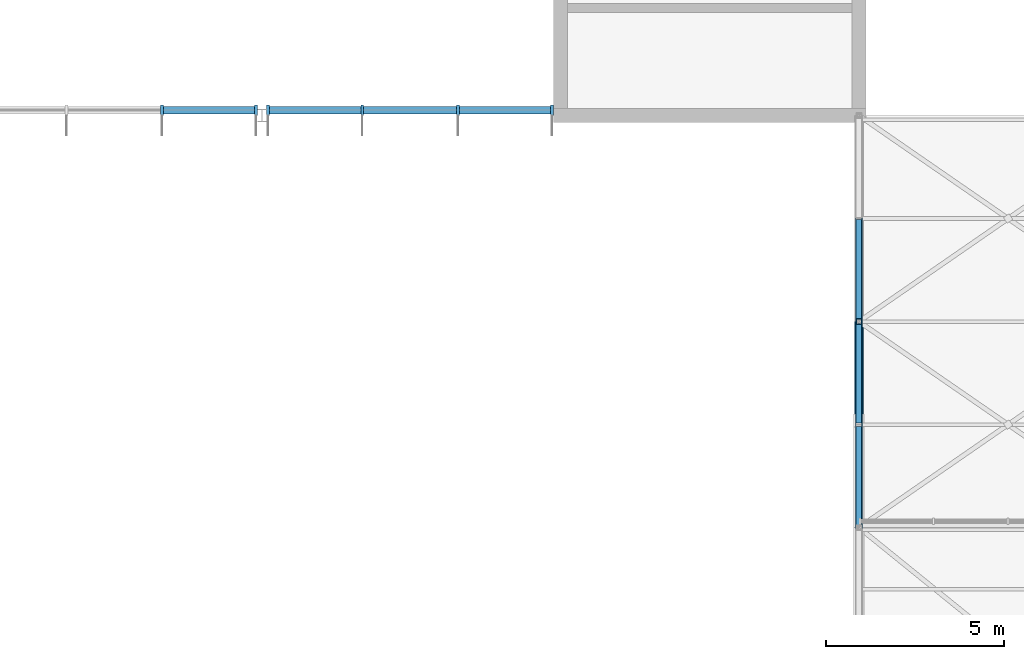
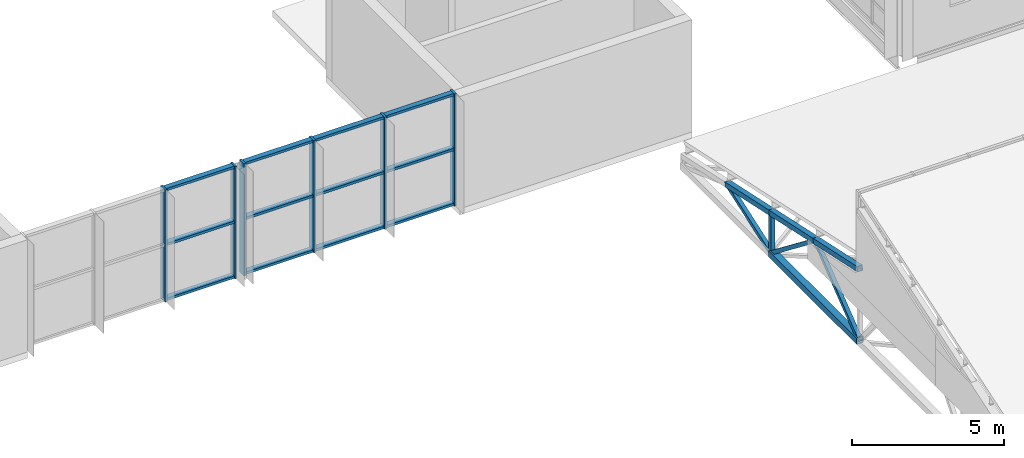
# One storey, part 19 of 89: 22 members, 4 beams, 2 elements without a shape of their own.
"""IFC4 building model written with IfcOpenShell, lengths in metres."""

from ifc_helpers import new_model, si_unit, direction, frame, origin, origin_2d, place, context, subcontext, project, spatial, rectangle, hollow_rectangle, extrude, material, material_profile, profile_set, type_object, element, aggregate, save


model = new_model("IFC4")

# Units and contexts
model_context = context("Model", 3, precision=1e-05, world=origin(), true_north=direction((0.0, 1.0)))
body_context = subcontext(model_context, "Body", "Model", "MODEL_VIEW")
ifc_project = project(units=[si_unit("LENGTHUNIT", "METRE"), si_unit("AREAUNIT", "SQUARE_METRE"), si_unit("VOLUMEUNIT", "CUBIC_METRE"), si_unit("PLANEANGLEUNIT", "RADIAN"), si_unit("MASSUNIT", "GRAM", prefix="KILO")], contexts=[model_context])

# Site, building, storey
site_placement = place(None, origin())
site = spatial("IfcSite", under=ifc_project, at=site_placement, CompositionType="ELEMENT")
building_placement = place(site_placement, origin())
building = spatial("IfcBuilding", under=site, at=building_placement, Name="Hlaing Beacon Police Headquarters", CompositionType="ELEMENT")
storey_placement = place(building_placement, frame((0.0, 0.0, 9.89990234375)))
storey = spatial("IfcBuildingStorey", under=building, at=storey_placement, Name="L02", CompositionType="ELEMENT", Elevation=9.89990234375)

# Curtain wall, members
ifc_material_1 = material(Name="Aluminium frame with solar control glazing", Category="aluminium")
curtain_wall_type = type_object("IfcCurtainWallType", Name="Structural glazed gable wall 8.07 x 4.50", PredefinedType="NOTDEFINED", material=ifc_material_1)
curtain_wall_1_placement = place(storey_placement, origin())
curtain_wall_1 = element("IfcCurtainWall", 1, at=curtain_wall_1_placement, inside=storey, type_object=curtain_wall_type, Name="ENV-CW-L02-S005", PredefinedType="NOTDEFINED")
ifc_material_2 = material(Name="Aluminium", Category="aluminium")
ifc_material_profile_1 = material_profile(ifc_material_2, rectangle(XDim=0.300048828125, YDim=0.080078125, at=origin_2d()), Name="Mullion 80x300")
ifc_profile_set_1 = profile_set([ifc_material_profile_1], Name="Aluminium")
member_type_1 = type_object("IfcMemberType", Name="Mullion 80x300", PredefinedType="MULLION", material=ifc_profile_set_1)
member_1_placement = place(storey_placement, frame((72.78125, 33.75, 0.0), z_axis=(0.0, 0.0, 1.0), x_axis=(0.0, 1.0, 0.0)))
member_1 = element("IfcMember", 2, at=member_1_placement, type_object=member_type_1, Name="CW-L02-S005 mullion 3", PredefinedType="MULLION", context=body_context, shape_type="SweptSolid", body=[
    extrude(rectangle(XDim=0.300048828125, YDim=0.080078125, at=origin_2d()), origin(), (0.0, 0.0, 1.0), 4.5),
])
member_2_placement = place(storey_placement, frame((75.431640625, 33.75, 0.0), z_axis=(0.0, 0.0, 1.0), x_axis=(0.0, 1.0, 0.0)))
member_2 = element("IfcMember", 3, at=member_2_placement, type_object=member_type_1, Name="CW-L02-S005 mullion 4", PredefinedType="MULLION", context=body_context, shape_type="SweptSolid", body=[
    extrude(rectangle(XDim=0.300048828125, YDim=0.080078125, at=origin_2d()), origin(), (0.0, 0.0, 1.0), 4.5),
])

curtain_wall_2_placement = place(storey_placement, origin())
curtain_wall_2 = element("IfcCurtainWall", 4, at=curtain_wall_2_placement, inside=storey, type_object=curtain_wall_type, Name="ENV-CW-L02-S006", PredefinedType="NOTDEFINED")
member_3_placement = place(storey_placement, frame((75.768310546875, 33.75, 0.0), z_axis=(0.0, 0.0, 1.0), x_axis=(0.0, 1.0, 0.0)))
member_3 = element("IfcMember", 5, at=member_3_placement, type_object=member_type_1, Name="CW-L02-S006 mullion 1", PredefinedType="MULLION", context=body_context, shape_type="SweptSolid", body=[
    extrude(rectangle(XDim=0.300048828125, YDim=0.080078125, at=origin_2d()), origin(), (0.0, 0.0, 1.0), 4.5),
])
member_4_placement = place(storey_placement, frame((78.4189453125, 33.75, 0.0), z_axis=(0.0, 0.0, 1.0), x_axis=(0.0, 1.0, 0.0)))
member_4 = element("IfcMember", 6, at=member_4_placement, type_object=member_type_1, Name="CW-L02-S006 mullion 2", PredefinedType="MULLION", context=body_context, shape_type="SweptSolid", body=[
    extrude(rectangle(XDim=0.300048828125, YDim=0.080078125, at=origin_2d()), origin(), (0.0, 0.0, 1.0), 4.5),
])
member_5_placement = place(storey_placement, frame((81.109375, 33.75, 0.0), z_axis=(0.0, 0.0, 1.0), x_axis=(0.0, 1.0, 0.0)))
member_5 = element("IfcMember", 7, at=member_5_placement, type_object=member_type_1, Name="CW-L02-S006 mullion 3", PredefinedType="MULLION", context=body_context, shape_type="SweptSolid", body=[
    extrude(rectangle(XDim=0.300048828125, YDim=0.080078125, at=origin_2d()), origin(), (0.0, 0.0, 1.0), 4.5),
])
member_6_placement = place(storey_placement, frame((83.760009765625, 33.75, 0.0), z_axis=(0.0, 0.0, 1.0), x_axis=(0.0, 1.0, 0.0)))
member_6 = element("IfcMember", 8, at=member_6_placement, type_object=member_type_1, Name="CW-L02-S006 mullion 4", PredefinedType="MULLION", context=body_context, shape_type="SweptSolid", body=[
    extrude(rectangle(XDim=0.300048828125, YDim=0.080078125, at=origin_2d()), origin(), (0.0, 0.0, 1.0), 4.5),
])

# Member
ifc_material_3 = material(Name="Aluminium", Category="aluminium")
ifc_material_profile_2 = material_profile(ifc_material_3, rectangle(XDim=0.199951171875, YDim=0.10009765625, at=origin_2d()), Name="Transom 200x100")
ifc_profile_set_2 = profile_set([ifc_material_profile_2], Name="Aluminium")
member_type_2 = type_object("IfcMemberType", Name="Transom 200x100", PredefinedType="USERDEFINED", material=ifc_profile_set_2)
member_7_placement = place(storey_placement, frame((72.821044921875, 33.75, 0.050048828125), z_axis=(1.0, 0.0, 0.0), x_axis=(0.0, 1.0, 0.0)))
member_7 = element("IfcMember", 9, at=member_7_placement, type_object=member_type_2, Name="CW-L02-S005 transom 3.1", ObjectType="TRANSOM", PredefinedType="USERDEFINED", context=body_context, shape_type="SweptSolid", body=[
    extrude(rectangle(XDim=0.199951171875, YDim=0.10009765625, at=origin_2d()), origin(), (0.0, 0.0, 1.0), 2.570556640625),
])

member_8_placement = place(storey_placement, frame((72.821044921875, 33.75, 2.25), z_axis=(1.0, 0.0, 0.0), x_axis=(0.0, 1.0, 0.0)))
member_8 = element("IfcMember", 10, at=member_8_placement, type_object=member_type_2, Name="CW-L02-S005 transom 3.2", ObjectType="TRANSOM", PredefinedType="USERDEFINED", context=body_context, shape_type="SweptSolid", body=[
    extrude(rectangle(XDim=0.199951171875, YDim=0.10009765625, at=origin_2d()), origin(), (0.0, 0.0, 1.0), 2.570556640625),
])

member_9_placement = place(storey_placement, frame((72.821044921875, 33.75, 4.4501953125), z_axis=(1.0, 0.0, 0.0), x_axis=(0.0, 1.0, 0.0)))
member_9 = element("IfcMember", 11, at=member_9_placement, type_object=member_type_2, Name="CW-L02-S005 transom 3.3", ObjectType="TRANSOM", PredefinedType="USERDEFINED", context=body_context, shape_type="SweptSolid", body=[
    extrude(rectangle(XDim=0.199951171875, YDim=0.10009765625, at=origin_2d()), origin(), (0.0, 0.0, 1.0), 2.570556640625),
])

aggregate(curtain_wall_1, [member_1, member_2, member_7, member_8, member_9])

member_10_placement = place(storey_placement, frame((75.808349609375, 33.75, 0.050048828125), z_axis=(1.0, 0.0, 0.0), x_axis=(0.0, 1.0, 0.0)))
member_10 = element("IfcMember", 12, at=member_10_placement, type_object=member_type_2, Name="CW-L02-S006 transom 1.1", ObjectType="TRANSOM", PredefinedType="USERDEFINED", context=body_context, shape_type="SweptSolid", body=[
    extrude(rectangle(XDim=0.199951171875, YDim=0.10009765625, at=origin_2d()), origin(), (0.0, 0.0, 1.0), 2.570556640625),
])

member_11_placement = place(storey_placement, frame((75.808349609375, 33.75, 2.25), z_axis=(1.0, 0.0, 0.0), x_axis=(0.0, 1.0, 0.0)))
member_11 = element("IfcMember", 13, at=member_11_placement, type_object=member_type_2, Name="CW-L02-S006 transom 1.2", ObjectType="TRANSOM", PredefinedType="USERDEFINED", context=body_context, shape_type="SweptSolid", body=[
    extrude(rectangle(XDim=0.199951171875, YDim=0.10009765625, at=origin_2d()), origin(), (0.0, 0.0, 1.0), 2.570556640625),
])

member_12_placement = place(storey_placement, frame((75.808349609375, 33.75, 4.4501953125), z_axis=(1.0, 0.0, 0.0), x_axis=(0.0, 1.0, 0.0)))
member_12 = element("IfcMember", 14, at=member_12_placement, type_object=member_type_2, Name="CW-L02-S006 transom 1.3", ObjectType="TRANSOM", PredefinedType="USERDEFINED", context=body_context, shape_type="SweptSolid", body=[
    extrude(rectangle(XDim=0.199951171875, YDim=0.10009765625, at=origin_2d()), origin(), (0.0, 0.0, 1.0), 2.570556640625),
])

member_13_placement = place(storey_placement, frame((78.458984375, 33.75, 0.050048828125), z_axis=(1.0, 0.0, 0.0), x_axis=(0.0, 1.0, 0.0)))
member_13 = element("IfcMember", 15, at=member_13_placement, type_object=member_type_2, Name="CW-L02-S006 transom 2.1", ObjectType="TRANSOM", PredefinedType="USERDEFINED", context=body_context, shape_type="SweptSolid", body=[
    extrude(rectangle(XDim=0.199951171875, YDim=0.10009765625, at=origin_2d()), origin(), (0.0, 0.0, 1.0), 2.6103515625),
])

member_14_placement = place(storey_placement, frame((78.458984375, 33.75, 2.25), z_axis=(1.0, 0.0, 0.0), x_axis=(0.0, 1.0, 0.0)))
member_14 = element("IfcMember", 16, at=member_14_placement, type_object=member_type_2, Name="CW-L02-S006 transom 2.2", ObjectType="TRANSOM", PredefinedType="USERDEFINED", context=body_context, shape_type="SweptSolid", body=[
    extrude(rectangle(XDim=0.199951171875, YDim=0.10009765625, at=origin_2d()), origin(), (0.0, 0.0, 1.0), 2.6103515625),
])

member_15_placement = place(storey_placement, frame((78.458984375, 33.75, 4.4501953125), z_axis=(1.0, 0.0, 0.0), x_axis=(0.0, 1.0, 0.0)))
member_15 = element("IfcMember", 17, at=member_15_placement, type_object=member_type_2, Name="CW-L02-S006 transom 2.3", ObjectType="TRANSOM", PredefinedType="USERDEFINED", context=body_context, shape_type="SweptSolid", body=[
    extrude(rectangle(XDim=0.199951171875, YDim=0.10009765625, at=origin_2d()), origin(), (0.0, 0.0, 1.0), 2.6103515625),
])

member_16_placement = place(storey_placement, frame((81.1494140625, 33.75, 0.050048828125), z_axis=(1.0, 0.0, 0.0), x_axis=(0.0, 1.0, 0.0)))
member_16 = element("IfcMember", 18, at=member_16_placement, type_object=member_type_2, Name="CW-L02-S006 transom 3.1", ObjectType="TRANSOM", PredefinedType="USERDEFINED", context=body_context, shape_type="SweptSolid", body=[
    extrude(rectangle(XDim=0.199951171875, YDim=0.10009765625, at=origin_2d()), origin(), (0.0, 0.0, 1.0), 2.570556640625),
])

member_17_placement = place(storey_placement, frame((81.1494140625, 33.75, 2.25), z_axis=(1.0, 0.0, 0.0), x_axis=(0.0, 1.0, 0.0)))
member_17 = element("IfcMember", 19, at=member_17_placement, type_object=member_type_2, Name="CW-L02-S006 transom 3.2", ObjectType="TRANSOM", PredefinedType="USERDEFINED", context=body_context, shape_type="SweptSolid", body=[
    extrude(rectangle(XDim=0.199951171875, YDim=0.10009765625, at=origin_2d()), origin(), (0.0, 0.0, 1.0), 2.570556640625),
])

member_18_placement = place(storey_placement, frame((81.1494140625, 33.75, 4.4501953125), z_axis=(1.0, 0.0, 0.0), x_axis=(0.0, 1.0, 0.0)))
member_18 = element("IfcMember", 20, at=member_18_placement, type_object=member_type_2, Name="CW-L02-S006 transom 3.3", ObjectType="TRANSOM", PredefinedType="USERDEFINED", context=body_context, shape_type="SweptSolid", body=[
    extrude(rectangle(XDim=0.199951171875, YDim=0.10009765625, at=origin_2d()), origin(), (0.0, 0.0, 1.0), 2.570556640625),
])

aggregate(curtain_wall_2, [member_3, member_4, member_5, member_6, member_10, member_11, member_12, member_13, member_14, member_15, member_16, member_17, member_18])

# Beam
ifc_material_4 = material(Name="Steel ASTM A500 Grade C", Category="steel")
ifc_material_profile_3 = material_profile(ifc_material_4, hollow_rectangle(XDim=0.25390625, YDim=0.25390625, WallThickness=0.0126953125, at=origin_2d()), Name="HSS10x10x1/2")
ifc_profile_set_3 = profile_set([ifc_material_profile_3], Name="Steel ASTM A500 Grade C")
beam_type_1 = type_object("IfcBeamType", Name="Truss bottom chord HSS10x10x1/2", PredefinedType="BEAM", material=ifc_profile_set_3)
beam_1_placement = place(storey_placement, frame((92.39990234375, 22.0, -1.372802734375), z_axis=(0.0, 1.0, 0.0), x_axis=(-1.0, 0.0, 0.0)))
element("IfcBeam", 21, at=beam_1_placement, inside=storey, type_object=beam_type_1, Name="STR-RT-V3-T1-BC03", PredefinedType="BEAM", context=body_context, shape_type="SweptSolid", body=[
    extrude(hollow_rectangle(XDim=0.25390625, YDim=0.25390625, WallThickness=0.0126953125, at=origin_2d()), origin(), (0.0, 0.0, 1.0), 5.800048828125),
])

# Member
ifc_material_5 = material(Name="Steel ASTM A500 Grade C", Category="steel")
ifc_material_profile_4 = material_profile(ifc_material_5, hollow_rectangle(XDim=0.15234375, YDim=0.15234375, WallThickness=0.0126953125, at=origin_2d()), Name="HSS6x6x1/2")
ifc_profile_set_4 = profile_set([ifc_material_profile_4], Name="Steel ASTM A500 Grade C")
member_type_3 = type_object("IfcMemberType", Name="Truss post HSS6x6x1/2", PredefinedType="POST", material=ifc_profile_set_4)
member_19_placement = place(storey_placement, frame((92.39990234375, 27.800048828125, -1.372802734375), z_axis=(0.0, 0.0, 1.0), x_axis=(1.0, 0.0, 0.0)))
element("IfcMember", 22, at=member_19_placement, inside=storey, type_object=member_type_3, Name="STR-RT-V3-T1-PS04", PredefinedType="POST", context=body_context, shape_type="SweptSolid", body=[
    extrude(hollow_rectangle(XDim=0.15234375, YDim=0.15234375, WallThickness=0.0126953125, at=origin_2d()), origin(), (0.0, 0.0, 1.0), 1.631103515625),
])

# Beams
ifc_material_6 = material(Name="Steel ASTM A500 Grade C", Category="steel")
ifc_material_profile_5 = material_profile(ifc_material_6, hollow_rectangle(XDim=0.203125, YDim=0.203125, WallThickness=0.015869140625, at=origin_2d()), Name="HSS8x8x5/8")
ifc_profile_set_5 = profile_set([ifc_material_profile_5], Name="Steel ASTM A500 Grade C")
beam_type_2 = type_object("IfcBeamType", Name="Truss top chord HSS8x8x5/8", PredefinedType="BEAM", material=ifc_profile_set_5)
beam_2_placement = place(storey_placement, frame((92.39990234375, 22.0, 1.50830078125), z_axis=(0.0, 0.97755362567, -0.21068675549), x_axis=(-1.0, 0.0, 0.0)))
element("IfcBeam", 23, at=beam_2_placement, inside=storey, type_object=beam_type_2, Name="STR-RT-V3-T1-TC06", PredefinedType="BEAM", context=body_context, shape_type="SweptSolid", body=[
    extrude(hollow_rectangle(XDim=0.203125, YDim=0.203125, WallThickness=0.015869140625, at=origin_2d()), origin(), (0.0, 0.0, 1.0), 2.966552734375),
])
beam_3_placement = place(storey_placement, frame((92.39990234375, 24.89990234375, 0.88330078125), z_axis=(0.0, 0.977557278415, -0.210669806612), x_axis=(-1.0, 0.0, 0.0)))
element("IfcBeam", 24, at=beam_3_placement, inside=storey, type_object=beam_type_2, Name="STR-RT-V3-T1-TC07", PredefinedType="BEAM", context=body_context, shape_type="SweptSolid", body=[
    extrude(hollow_rectangle(XDim=0.203125, YDim=0.203125, WallThickness=0.015869140625, at=origin_2d()), origin(), (0.0, 0.0, 1.0), 2.966796875),
])
beam_4_placement = place(storey_placement, frame((92.39990234375, 27.800048828125, 0.25830078125), z_axis=(0.0, 0.97755362567, -0.21068675549), x_axis=(-1.0, 0.0, 0.0)))
element("IfcBeam", 25, at=beam_4_placement, inside=storey, type_object=beam_type_2, Name="STR-RT-V3-T1-TC08", PredefinedType="BEAM", context=body_context, shape_type="SweptSolid", body=[
    extrude(hollow_rectangle(XDim=0.203125, YDim=0.203125, WallThickness=0.015869140625, at=origin_2d()), origin(), (0.0, 0.0, 1.0), 2.966552734375),
])

# Members
ifc_material_7 = material(Name="Steel ASTM A500 Grade C", Category="steel")
ifc_material_profile_6 = material_profile(ifc_material_7, hollow_rectangle(XDim=0.15234375, YDim=0.15234375, WallThickness=0.009521484375, at=origin_2d()), Name="HSS6x6x3/8")
ifc_profile_set_6 = profile_set([ifc_material_profile_6], Name="Steel ASTM A500 Grade C")
member_type_4 = type_object("IfcMemberType", Name="Truss web HSS6x6x3/8", PredefinedType="BRACE", material=ifc_profile_set_6)
member_20_placement = place(storey_placement, frame((92.39990234375, 22.0, -1.372802734375), z_axis=(0.0, 0.789269916933, 0.614046413738), x_axis=(-1.0, 0.0, 0.0)))
element("IfcMember", 26, at=member_20_placement, inside=storey, type_object=member_type_4, Name="STR-RT-V3-T1-DG05", PredefinedType="BRACE", context=body_context, shape_type="SweptSolid", body=[
    extrude(hollow_rectangle(XDim=0.15234375, YDim=0.15234375, WallThickness=0.009521484375, at=origin_2d()), origin(), (0.0, 0.0, 1.0), 3.674072265625),
])
member_21_placement = place(storey_placement, frame((92.39990234375, 24.89990234375, 0.88330078125), z_axis=(0.0, 0.789294969398, -0.614014210978), x_axis=(-1.0, 0.0, 0.0)))
element("IfcMember", 27, at=member_21_placement, inside=storey, type_object=member_type_4, Name="STR-RT-V3-T1-DG06", PredefinedType="BRACE", context=body_context, shape_type="SweptSolid", body=[
    extrude(hollow_rectangle(XDim=0.15234375, YDim=0.15234375, WallThickness=0.009521484375, at=origin_2d()), origin(), (0.0, 0.0, 1.0), 3.67431640625),
])
member_22_placement = place(storey_placement, frame((92.39990234375, 27.800048828125, -1.372802734375), z_axis=(0.0, 0.944755103934, 0.327777048603), x_axis=(-1.0, 0.0, 0.0)))
element("IfcMember", 28, at=member_22_placement, inside=storey, type_object=member_type_4, Name="STR-RT-V3-T1-DG07", PredefinedType="BRACE", context=body_context, shape_type="SweptSolid", body=[
    extrude(hollow_rectangle(XDim=0.15234375, YDim=0.15234375, WallThickness=0.009521484375, at=origin_2d()), origin(), (0.0, 0.0, 1.0), 3.069580078125),
])

save(model, "model.ifc")
